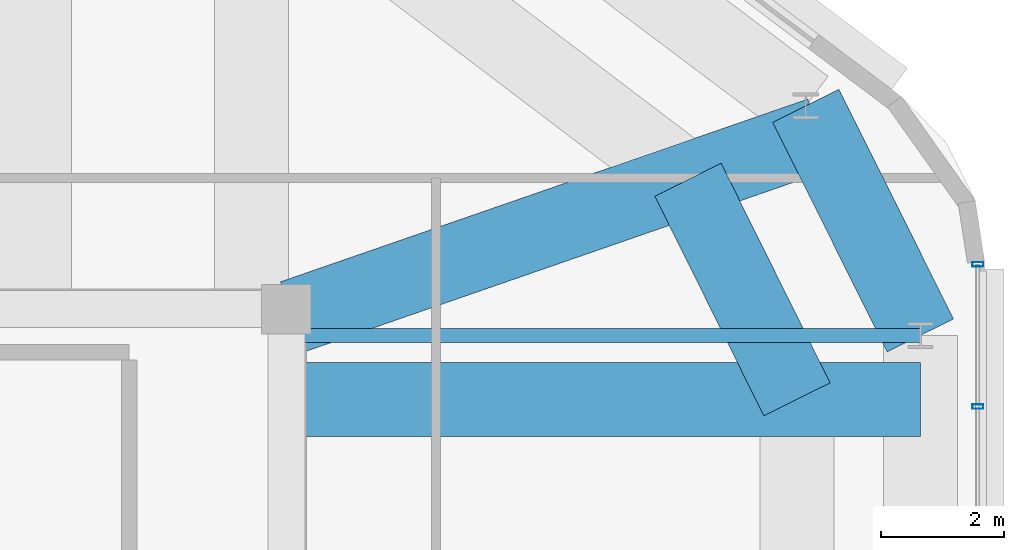
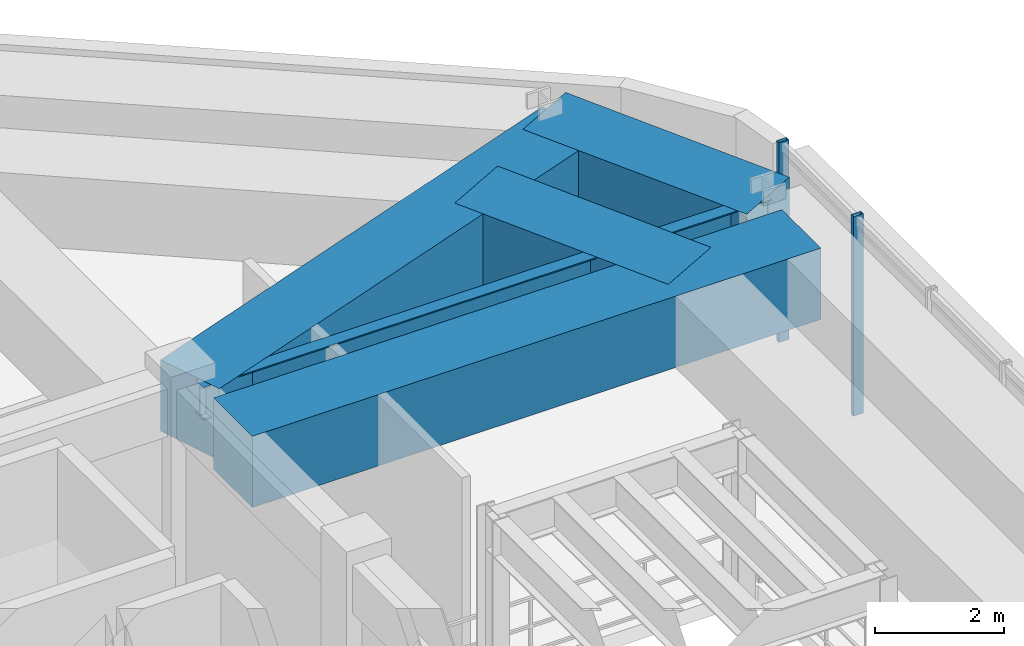
# One storey, part 8 of 17: 5 beams, 2 members, 1 element without a shape of its own.
"""IFC4 building model written with IfcOpenShell, lengths in metres."""

from ifc_helpers import new_model, si_unit, direction, frame, origin, origin_2d, place, context, subcontext, project, spatial, rectangle, hollow_rectangle, i_section, extrude, material, material_profile, profile_set, type_object, element, aggregate, save


model = new_model("IFC4")

# Units and contexts
model_context = context("Model", 3, precision=1e-05, world=origin(), true_north=direction((0.0, 1.0)))
body_context = subcontext(model_context, "Body", "Model", "MODEL_VIEW")
ifc_project = project(units=[si_unit("LENGTHUNIT", "METRE"), si_unit("AREAUNIT", "SQUARE_METRE"), si_unit("VOLUMEUNIT", "CUBIC_METRE"), si_unit("PLANEANGLEUNIT", "RADIAN"), si_unit("MASSUNIT", "GRAM", prefix="KILO")], contexts=[model_context])

# Site, building, storey
site_placement = place(None, origin())
site = spatial("IfcSite", under=ifc_project, at=site_placement, CompositionType="ELEMENT")
building_placement = place(site_placement, origin())
building = spatial("IfcBuilding", under=site, at=building_placement, Name="Zulverin Broadcast Headquarters", CompositionType="ELEMENT")
storey_placement = place(building_placement, frame((0.0, 0.0, 317.39990234375)))
storey = spatial("IfcBuildingStorey", under=building, at=storey_placement, Name="C2", CompositionType="ELEMENT", Elevation=317.39990234375)

# Beams
ifc_material_1 = material(Name="Concrete C50/60", Category="concrete")
ifc_material_profile_1 = material_profile(ifc_material_1, rectangle(XDim=1.199951171875, YDim=1.35009765625, at=origin_2d()), Name="Concrete C50/60", Category="concrete")
ifc_profile_set_1 = profile_set([ifc_material_profile_1], Name="Concrete C50/60")
beam_type_1 = type_object("IfcBeamType", Name="BM-TG-CRN-1350", PredefinedType="USERDEFINED", material=ifc_profile_set_1)
beam_1_placement = place(storey_placement, frame((58.550048828125, 32.648193359375, 3.045166015625), z_axis=(-0.446767242371, 0.894650228382, 0.0), x_axis=(-0.894650228382, -0.446767242371, 0.0)))
element("IfcBeam", 1, at=beam_1_placement, inside=storey, type_object=beam_type_1, Name="C2 Perimeter Transfer Ring Girder SP-06", ObjectType="TRANSFER GIRDER", PredefinedType="USERDEFINED", context=body_context, shape_type="SweptSolid", body=[
    extrude(rectangle(XDim=1.199951171875, YDim=1.35009765625, at=origin_2d()), origin(), (0.0, 0.0, 1.0), 4.157470703125),
])
beam_2_placement = place(storey_placement, frame((48.375, 31.613037109375, 3.045166015625), z_axis=(1.0, 0.0, 0.0), x_axis=(0.0, 1.0, 0.0)))
element("IfcBeam", 2, at=beam_2_placement, inside=storey, type_object=beam_type_1, Name="C3 Step Transfer Girder TG-06", ObjectType="TRANSFER GIRDER", PredefinedType="USERDEFINED", context=body_context, shape_type="SweptSolid", body=[
    extrude(rectangle(XDim=1.199951171875, YDim=1.35009765625, at=origin_2d()), origin(), (0.0, 0.0, 1.0), 10.175048828125),
])
beam_3_placement = place(storey_placement, frame((56.550048828125, 31.613037109375, 3.045166015625), z_axis=(-0.444778166869, 0.89564076631, 0.0), x_axis=(-0.89564076631, -0.444778166869, 0.0)))
element("IfcBeam", 3, at=beam_3_placement, inside=storey, type_object=beam_type_1, Name="C3 Step Transfer Ring Girder TGR-06", ObjectType="TRANSFER GIRDER", PredefinedType="USERDEFINED", context=body_context, shape_type="SweptSolid", body=[
    extrude(rectangle(XDim=1.199951171875, YDim=1.35009765625, at=origin_2d()), origin(), (0.0, 0.0, 1.0), 3.972412109375),
])
beam_4_placement = place(storey_placement, frame((48.375, 32.949951171875, 3.045166015625), z_axis=(0.944861480803, 0.327470276659, 0.0), x_axis=(-0.327470276659, 0.944861480803, 0.0)))
element("IfcBeam", 4, at=beam_4_placement, inside=storey, type_object=beam_type_1, Name="C3 Step Transfer Girder TG-07", ObjectType="TRANSFER GIRDER", PredefinedType="USERDEFINED", context=body_context, shape_type="SweptSolid", body=[
    extrude(rectangle(XDim=1.199951171875, YDim=1.35009765625, at=origin_2d()), origin(), (0.0, 0.0, 1.0), 9.044189453125),
])
ifc_material_2 = material(Name="Structural steel S355JR", Category="steel")
ifc_material_profile_2 = material_profile(ifc_material_2, i_section(OverallWidth=0.230224609375, OverallDepth=0.6171875, WebThickness=0.01318359375, FlangeThickness=0.022216796875, at=origin_2d()), Name="Structural steel S355JR", Category="steel")
ifc_profile_set_2 = profile_set([ifc_material_profile_2], Name="Structural steel S355JR")
beam_type_2 = type_object("IfcBeamType", Name="BM-UB-610", PredefinedType="BEAM", material=ifc_profile_set_2)
beam_5_placement = place(storey_placement, frame((48.375, 32.648193359375, 3.411376953125), z_axis=(1.0, 0.0, 0.0), x_axis=(0.0, 1.0, 0.0)))
element("IfcBeam", 5, at=beam_5_placement, inside=storey, type_object=beam_type_2, Name="C2 Radial Primary Floor Beam RB-06", PredefinedType="BEAM", context=body_context, shape_type="SweptSolid", body=[
    extrude(i_section(OverallWidth=0.230224609375, OverallDepth=0.6171875, WebThickness=0.01318359375, FlangeThickness=0.022216796875, at=origin_2d()), origin(), (0.0, 0.0, 1.0), 10.175048828125),
])

# Curtain wall, members
ifc_material_3 = material(Name="Crown damper-hall structural glass curtain wall", Category="glass")
curtain_wall_type = type_object("IfcCurtainWallType", Name="CW-CRN", PredefinedType="USERDEFINED", material=ifc_material_3)
curtain_wall_placement = place(storey_placement, origin())
curtain_wall = element("IfcCurtainWall", 6, at=curtain_wall_placement, inside=storey, type_object=curtain_wall_type, Name="C2 Unitised Curtain Wall CW-C2-E3", ObjectType="UNITISED CURTAIN WALL", PredefinedType="USERDEFINED")
ifc_material_4 = material(Name="Anodized pale-metal aluminium alloy 6063-T6", Category="aluminium")
ifc_material_profile_3 = material_profile(ifc_material_4, hollow_rectangle(XDim=0.074951171875, YDim=0.179931640625, WallThickness=0.0048828125, at=origin_2d()), Name="Anodized pale-metal aluminium alloy 6063-T6", Category="aluminium")
ifc_profile_set_3 = profile_set([ifc_material_profile_3], Name="Anodized pale-metal aluminium alloy 6063-T6")
member_type = type_object("IfcMemberType", Name="CW-MUL-180", PredefinedType="MULLION", material=ifc_profile_set_3)
member_1_placement = place(storey_placement, frame((59.47998046875, 31.494140625, -0.02978515625), z_axis=(0.0, 0.0, 1.0), x_axis=(0.0, 1.0, 0.0)))
member_1 = element("IfcMember", 7, at=member_1_placement, type_object=member_type, Name="CW-C2-E3 Mullion 06", PredefinedType="MULLION", context=body_context, shape_type="SweptSolid", body=[
    extrude(hollow_rectangle(XDim=0.074951171875, YDim=0.179931640625, WallThickness=0.0048828125, at=origin_2d()), origin(), (0.0, 0.0, 1.0), 3.77978515625),
])
member_2_placement = place(storey_placement, frame((59.47998046875, 33.79833984375, -0.02978515625), z_axis=(0.0, 0.0, 1.0), x_axis=(0.0, 1.0, 0.0)))
member_2 = element("IfcMember", 8, at=member_2_placement, type_object=member_type, Name="CW-C2-E3 Mullion 07", PredefinedType="MULLION", context=body_context, shape_type="SweptSolid", body=[
    extrude(hollow_rectangle(XDim=0.074951171875, YDim=0.179931640625, WallThickness=0.0048828125, at=origin_2d()), origin(), (0.0, 0.0, 1.0), 3.77978515625),
])
aggregate(curtain_wall, [member_1, member_2])

save(model, "model.ifc")
